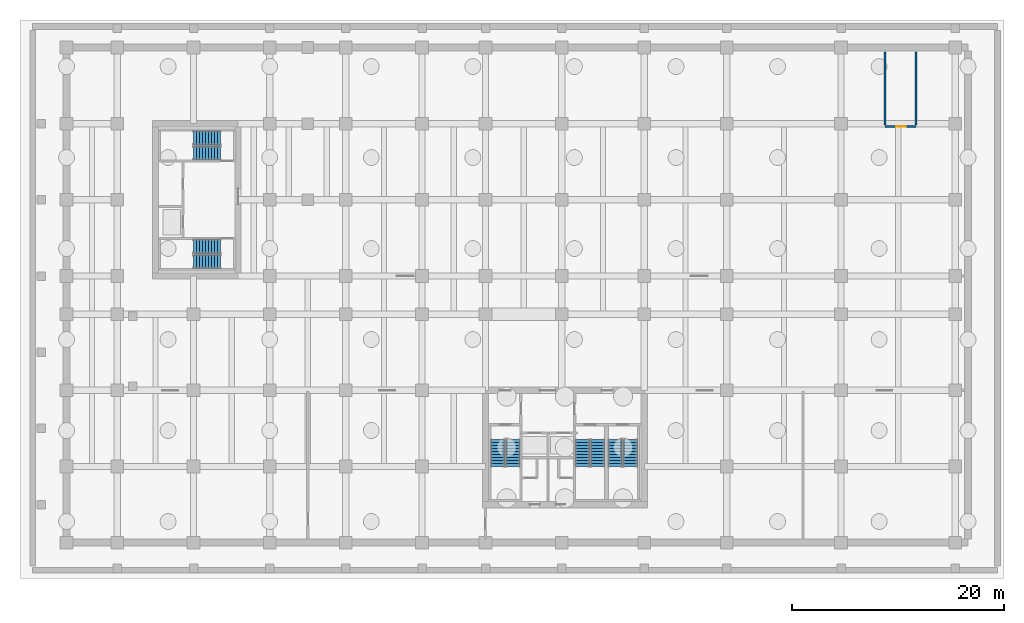
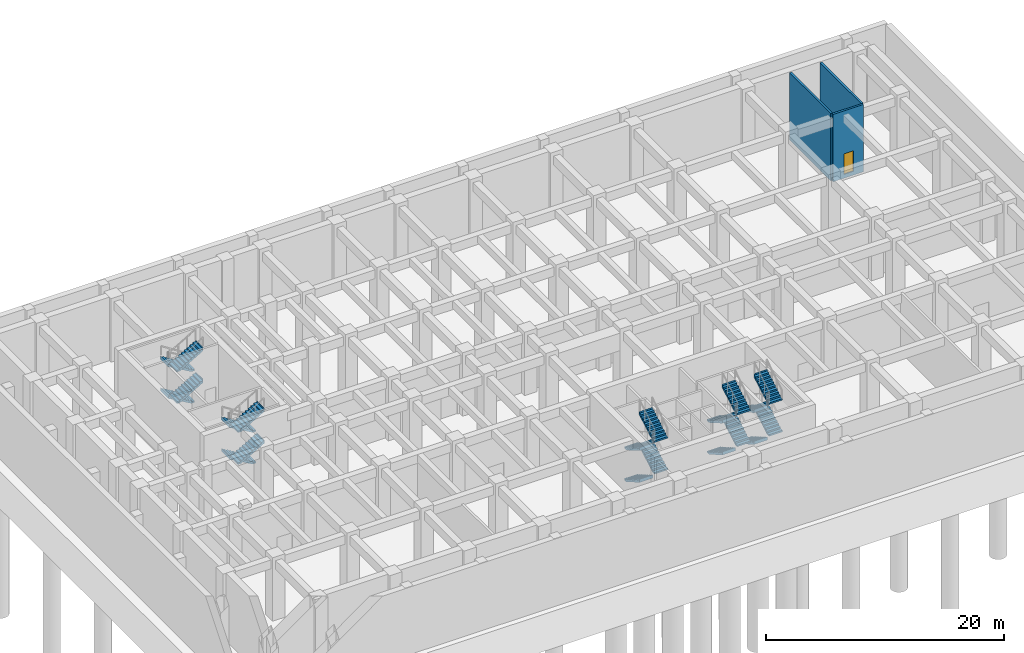
# One storey, part 9 of 13: 20 stair flights, 3 walls, 1 door, 1 opening, 5 elements without a shape of their own.
"""IFC4 building model written with IfcOpenShell, lengths in metres."""

from ifc_helpers import new_model, si_unit, derived_unit, direction, frame, frame_2d, origin, place, context, subcontext, project, spatial, polyline, rectangle, outline, extrude, source, transform, mapped, material, layer, layer_set, type_object, type_shapes, element, fill, aggregate, save


model = new_model("IFC4")

# Units and contexts
model_context = context("Model", 3, precision=1e-05, world=origin(), true_north=direction((0.0, 1.0)))
body_context = subcontext(model_context, "Body", "Model", "MODEL_VIEW")
ifc_project = project(units=[si_unit("LENGTHUNIT", "METRE"), si_unit("AREAUNIT", "SQUARE_METRE"), si_unit("VOLUMEUNIT", "CUBIC_METRE"), si_unit("PLANEANGLEUNIT", "RADIAN"), si_unit("MASSUNIT", "GRAM", prefix="KILO"), si_unit("THERMODYNAMICTEMPERATUREUNIT", "KELVIN"), si_unit("POWERUNIT", "WATT"), derived_unit("THERMALTRANSMITTANCEUNIT", [(si_unit("POWERUNIT", "WATT"), 1), (si_unit("AREAUNIT", "SQUARE_METRE"), -1), (si_unit("THERMODYNAMICTEMPERATUREUNIT", "KELVIN"), -1)])], contexts=[model_context])

# Site, building, storey
site_placement = place(None, origin())
site = spatial("IfcSite", under=ifc_project, at=site_placement, CompositionType="ELEMENT")
building_placement = place(site_placement, origin())
building = spatial("IfcBuilding", under=site, at=building_placement, Name="Zahravan Archway Hotel and Residences", CompositionType="ELEMENT")
storey_placement = place(building_placement, frame((0.0, 0.0, -13.0)))
storey = spatial("IfcBuildingStorey", under=building, at=storey_placement, Name="B02", CompositionType="ELEMENT", Elevation=-13.0)

# Walls
ifc_material_1 = material(Name="Concrete C50/60", Category="concrete")
ifc_layer_1 = layer(ifc_material_1, 0.199951171875, Name="Concrete C50/60", Category="concrete")
ifc_layer_set_1 = layer_set([ifc_layer_1], Name="Concrete C50/60")
wall_type = type_object("IfcWallType", Name="SW-STAIR-200", PredefinedType="SHEAR", material=ifc_layer_set_1)
for number, where, z_axis, x_axis, name in (
    (1, (72.56005859375, 39.469970703125, -0.39990234375), (0.0, 0.0, 1.0), (0.0, 1.0, 0.0), "B02 Stairwell RC Wall SP1-W"),
    (2, (75.5, 39.469970703125, -0.39990234375), (0.0, 0.0, 1.0), (0.0, 1.0, 0.0), "B02 Stairwell RC Wall SP1-E"),
):
    element("IfcWall", number, at=place(storey_placement, frame(where, z_axis=z_axis, x_axis=x_axis)), inside=storey, type_object=wall_type, Name=name, PredefinedType="SHEAR", context=body_context, shape_type="SweptSolid", body=[
        extrude(rectangle(XDim=6.909912109375, YDim=0.199951171875, at=frame_2d((3.455078125, 0.0))), origin(), (0.0, 0.0, 1.0), 6.89990234375),
    ])

# Wall, opening, door
wall_placement = place(storey_placement, frame((72.56005859375, 39.35009765625, -0.39990234375), z_axis=(0.0, 0.0, 1.0), x_axis=(1.0, 0.0, 0.0)))
wall = element("IfcWall", 3, at=wall_placement, inside=storey, type_object=wall_type, Name="B02 Stairwell RC Wall SP1-S", PredefinedType="SHEAR", context=body_context, shape_type="SweptSolid", body=[
    extrude(rectangle(XDim=2.93994140625, YDim=0.199951171875, at=frame_2d((1.469970703125, 0.0))), origin(), (0.0, 0.0, 1.0), 6.89990234375),
])
opening_placement = place(wall_placement, frame((1.06005859375, 0.0, 0.39990234375)))
opening = element("IfcOpeningElement", 4, at=opening_placement, cuts=wall, Name="Opening FD-R1", PredefinedType="OPENING", context=body_context, shape_type="SweptSolid", body=[
    extrude(rectangle(XDim=0.89990234375, YDim=2.10009765625, at=frame_2d((0.449951171875, 1.050048828125))), frame((0.0, 0.10986328125, 0.0), z_axis=(0.0, -1.0, 0.0), x_axis=(1.0, 0.0, 0.0)), (0.0, 0.0, 1.0), 0.219970703125),
])
ifc_material_2 = material(Name="Fire-Rated Painted Steel", Category="steel")
door_type = type_object("IfcDoorType", Name="FD-RISER-900", OperationType="NOTDEFINED", PredefinedType="DOOR", material=ifc_material_2)
shared_shape_1 = source(origin(), body_context, "Body", "SweptSolid", [
    extrude(rectangle(XDim=0.89990234375, YDim=2.10009765625, at=frame_2d((0.449951171875, 1.050048828125))), frame((0.0, 0.02490234375, 0.0), z_axis=(0.0, -1.0, 0.0), x_axis=(1.0, 0.0, 0.0)), (0.0, 0.0, 1.0), 0.050048828125),
])
type_shapes(door_type, [shared_shape_1])
door_placement = place(opening_placement, origin())
door = element("IfcDoor", 5, at=door_placement, inside=storey, type_object=door_type, Name="B02 Sub-Stair Service Vault Door", OperationType="SINGLE_SWING_RIGHT", OverallHeight=2.10009765625, OverallWidth=0.89990234375, PredefinedType="DOOR", context=body_context, shape_type="MappedRepresentation", body=[
    mapped(shared_shape_1, transform((0.0, 0.0, 0.0), scale=1.0)),
])
fill(opening, door)

# Stair, stair flights
stair_type = type_object("IfcStairType", Name="STR-CORE-1300", PredefinedType="HALF_TURN_STAIR", material=ifc_material_1)
stair_1_placement = place(storey_placement, origin())
stair_1 = element("IfcStair", 6, at=stair_1_placement, inside=storey, type_object=stair_type, Name="B02 Core A Exit Stair 1", PredefinedType="HALF_TURN_STAIR")
ifc_layer_2 = layer(ifc_material_1, 0.199951171875, Name="Concrete C50/60", Category="concrete")
ifc_layer_set_2 = layer_set([ifc_layer_2], Name="Concrete C50/60")
stair_flight_type = type_object("IfcStairFlightType", Name="SFL-CORE-1300", PredefinedType="STRAIGHT", material=ifc_layer_set_2)
shared_shape_2 = source(origin(), body_context, "Body", "SweptSolid", [
    extrude(outline(polyline([(-0.01611328125, 0.0), (-0.01611328125, 0.16259765625), (0.280029296875, 0.16259765625), (0.280029296875, 0.324951171875), (0.56005859375, 0.324951171875), (0.56005859375, 0.487548828125), (0.840087890625, 0.487548828125), (0.840087890625, 0.64990234375), (1.1201171875, 0.64990234375), (1.1201171875, 0.8125), (1.39990234375, 0.8125), (1.39990234375, 0.97509765625), (1.679931640625, 0.97509765625), (1.679931640625, 1.137451171875), (1.9599609375, 1.137451171875), (1.9599609375, 1.300048828125), (2.239990234375, 1.300048828125), (2.239990234375, 1.46240234375), (2.52001953125, 1.46240234375), (2.52001953125, 1.625), (2.5361328125, 1.625), (2.5361328125, 1.2890625), (0.298583984375, 0.0), (-0.01611328125, 0.0)])), frame((0.0, 0.64990234375, 0.0), z_axis=(0.0, -1.0, 0.0), x_axis=(1.0, 0.0, 0.0)), (0.0, 0.0, 1.0), 1.300048828125),
])
type_shapes(stair_flight_type, [shared_shape_2])
stair_flight_1_placement = place(storey_placement, frame((35.949951171875, 9.72998046875, 0.0), z_axis=(0.0, 0.0, 1.0), x_axis=(0.0, -1.0, 0.0)))
stair_flight_1 = element("IfcStairFlight", 7, at=stair_flight_1_placement, type_object=stair_flight_type, Name="ST-A1 flight 1", NumberOfRisers=10, NumberOfTreads=9, PredefinedType="STRAIGHT", RiserHeight=0.1625, TreadLength=0.28, context=body_context, shape_type="MappedRepresentation", body=[
    mapped(shared_shape_2, transform((0.0, 0.0, 0.0), scale=1.0)),
])
stair_flight_2_placement = place(storey_placement, frame((37.389892578125, 7.2099609375, 1.625), z_axis=(0.0, 0.0, 1.0), x_axis=(0.0, 1.0, 0.0)))
stair_flight_2 = element("IfcStairFlight", 8, at=stair_flight_2_placement, type_object=stair_flight_type, Name="ST-A1 flight 2", NumberOfRisers=10, NumberOfTreads=9, PredefinedType="STRAIGHT", RiserHeight=0.1625, TreadLength=0.28, context=body_context, shape_type="MappedRepresentation", body=[
    mapped(shared_shape_2, transform((0.0, 0.0, 0.0), scale=1.0)),
])
stair_flight_3_placement = place(storey_placement, frame((35.949951171875, 9.72998046875, 3.25), z_axis=(0.0, 0.0, 1.0), x_axis=(0.0, -1.0, 0.0)))
stair_flight_3 = element("IfcStairFlight", 9, at=stair_flight_3_placement, type_object=stair_flight_type, Name="ST-A1 flight 3", NumberOfRisers=10, NumberOfTreads=9, PredefinedType="STRAIGHT", RiserHeight=0.1625, TreadLength=0.28, context=body_context, shape_type="MappedRepresentation", body=[
    mapped(shared_shape_2, transform((0.0, 0.0, 0.0), scale=1.0)),
])
stair_flight_4_placement = place(storey_placement, frame((37.389892578125, 7.2099609375, 4.875), z_axis=(0.0, 0.0, 1.0), x_axis=(0.0, 1.0, 0.0)))
stair_flight_4 = element("IfcStairFlight", 10, at=stair_flight_4_placement, type_object=stair_flight_type, Name="ST-A1 flight 4", NumberOfRisers=10, NumberOfTreads=9, PredefinedType="STRAIGHT", RiserHeight=0.1625, TreadLength=0.28, context=body_context, shape_type="MappedRepresentation", body=[
    mapped(shared_shape_2, transform((0.0, 0.0, 0.0), scale=1.0)),
])
aggregate(stair_1, [stair_flight_1, stair_flight_2, stair_flight_3, stair_flight_4])

stair_2_placement = place(storey_placement, origin())
stair_2 = element("IfcStair", 11, at=stair_2_placement, inside=storey, type_object=stair_type, Name="B02 Core A Exit Stair 2", PredefinedType="HALF_TURN_STAIR")
stair_flight_5_placement = place(storey_placement, frame((43.969970703125, 9.72998046875, 0.0), z_axis=(0.0, 0.0, 1.0), x_axis=(0.0, -1.0, 0.0)))
stair_flight_5 = element("IfcStairFlight", 12, at=stair_flight_5_placement, type_object=stair_flight_type, Name="ST-A2 flight 1", NumberOfRisers=10, NumberOfTreads=9, PredefinedType="STRAIGHT", RiserHeight=0.1625, TreadLength=0.28, context=body_context, shape_type="MappedRepresentation", body=[
    mapped(shared_shape_2, transform((0.0, 0.0, 0.0), scale=1.0)),
])
stair_flight_6_placement = place(storey_placement, frame((45.409912109375, 7.2099609375, 1.625), z_axis=(0.0, 0.0, 1.0), x_axis=(0.0, 1.0, 0.0)))
stair_flight_6 = element("IfcStairFlight", 13, at=stair_flight_6_placement, type_object=stair_flight_type, Name="ST-A2 flight 2", NumberOfRisers=10, NumberOfTreads=9, PredefinedType="STRAIGHT", RiserHeight=0.1625, TreadLength=0.28, context=body_context, shape_type="MappedRepresentation", body=[
    mapped(shared_shape_2, transform((0.0, 0.0, 0.0), scale=1.0)),
])
stair_flight_7_placement = place(storey_placement, frame((43.969970703125, 9.72998046875, 3.25), z_axis=(0.0, 0.0, 1.0), x_axis=(0.0, -1.0, 0.0)))
stair_flight_7 = element("IfcStairFlight", 14, at=stair_flight_7_placement, type_object=stair_flight_type, Name="ST-A2 flight 3", NumberOfRisers=10, NumberOfTreads=9, PredefinedType="STRAIGHT", RiserHeight=0.1625, TreadLength=0.28, context=body_context, shape_type="MappedRepresentation", body=[
    mapped(shared_shape_2, transform((0.0, 0.0, 0.0), scale=1.0)),
])
stair_flight_8_placement = place(storey_placement, frame((45.409912109375, 7.2099609375, 4.875), z_axis=(0.0, 0.0, 1.0), x_axis=(0.0, 1.0, 0.0)))
stair_flight_8 = element("IfcStairFlight", 15, at=stair_flight_8_placement, type_object=stair_flight_type, Name="ST-A2 flight 4", NumberOfRisers=10, NumberOfTreads=9, PredefinedType="STRAIGHT", RiserHeight=0.1625, TreadLength=0.28, context=body_context, shape_type="MappedRepresentation", body=[
    mapped(shared_shape_2, transform((0.0, 0.0, 0.0), scale=1.0)),
])
aggregate(stair_2, [stair_flight_5, stair_flight_6, stair_flight_7, stair_flight_8])

stair_3_placement = place(storey_placement, origin())
stair_3 = element("IfcStair", 16, at=stair_3_placement, inside=storey, type_object=stair_type, Name="B02 Core A Exit Stair 3", PredefinedType="HALF_TURN_STAIR")
stair_flight_9_placement = place(storey_placement, frame((47.050048828125, 9.72998046875, 0.0), z_axis=(0.0, 0.0, 1.0), x_axis=(0.0, -1.0, 0.0)))
stair_flight_9 = element("IfcStairFlight", 17, at=stair_flight_9_placement, type_object=stair_flight_type, Name="ST-A3 flight 1", NumberOfRisers=10, NumberOfTreads=9, PredefinedType="STRAIGHT", RiserHeight=0.1625, TreadLength=0.28, context=body_context, shape_type="MappedRepresentation", body=[
    mapped(shared_shape_2, transform((0.0, 0.0, 0.0), scale=1.0)),
])
stair_flight_10_placement = place(storey_placement, frame((48.489990234375, 7.2099609375, 1.625), z_axis=(0.0, 0.0, 1.0), x_axis=(0.0, 1.0, 0.0)))
stair_flight_10 = element("IfcStairFlight", 18, at=stair_flight_10_placement, type_object=stair_flight_type, Name="ST-A3 flight 2", NumberOfRisers=10, NumberOfTreads=9, PredefinedType="STRAIGHT", RiserHeight=0.1625, TreadLength=0.28, context=body_context, shape_type="MappedRepresentation", body=[
    mapped(shared_shape_2, transform((0.0, 0.0, 0.0), scale=1.0)),
])
stair_flight_11_placement = place(storey_placement, frame((47.050048828125, 9.72998046875, 3.25), z_axis=(0.0, 0.0, 1.0), x_axis=(0.0, -1.0, 0.0)))
stair_flight_11 = element("IfcStairFlight", 19, at=stair_flight_11_placement, type_object=stair_flight_type, Name="ST-A3 flight 3", NumberOfRisers=10, NumberOfTreads=9, PredefinedType="STRAIGHT", RiserHeight=0.1625, TreadLength=0.28, context=body_context, shape_type="MappedRepresentation", body=[
    mapped(shared_shape_2, transform((0.0, 0.0, 0.0), scale=1.0)),
])
stair_flight_12_placement = place(storey_placement, frame((48.489990234375, 7.2099609375, 4.875), z_axis=(0.0, 0.0, 1.0), x_axis=(0.0, 1.0, 0.0)))
stair_flight_12 = element("IfcStairFlight", 20, at=stair_flight_12_placement, type_object=stair_flight_type, Name="ST-A3 flight 4", NumberOfRisers=10, NumberOfTreads=9, PredefinedType="STRAIGHT", RiserHeight=0.1625, TreadLength=0.28, context=body_context, shape_type="MappedRepresentation", body=[
    mapped(shared_shape_2, transform((0.0, 0.0, 0.0), scale=1.0)),
])
aggregate(stair_3, [stair_flight_9, stair_flight_10, stair_flight_11, stair_flight_12])

stair_4_placement = place(storey_placement, origin())
stair_4 = element("IfcStair", 21, at=stair_4_placement, inside=storey, type_object=stair_type, Name="B02 Core B Exit Stair 1", PredefinedType="HALF_TURN_STAIR")
stair_flight_13_placement = place(storey_placement, frame((9.72998046875, 27.989990234375, 0.0), z_axis=(0.0, 0.0, 1.0), x_axis=(-1.0, 0.0, 0.0)))
stair_flight_13 = element("IfcStairFlight", 22, at=stair_flight_13_placement, type_object=stair_flight_type, Name="ST-B1 flight 1", NumberOfRisers=10, NumberOfTreads=9, PredefinedType="STRAIGHT", RiserHeight=0.1625, TreadLength=0.28, context=body_context, shape_type="MappedRepresentation", body=[
    mapped(shared_shape_2, transform((0.0, 0.0, 0.0), scale=1.0)),
])
stair_flight_14_placement = place(storey_placement, frame((7.2099609375, 26.550048828125, 1.625), z_axis=(0.0, 0.0, 1.0), x_axis=(1.0, 0.0, 0.0)))
stair_flight_14 = element("IfcStairFlight", 23, at=stair_flight_14_placement, type_object=stair_flight_type, Name="ST-B1 flight 2", NumberOfRisers=10, NumberOfTreads=9, PredefinedType="STRAIGHT", RiserHeight=0.1625, TreadLength=0.28, context=body_context, shape_type="MappedRepresentation", body=[
    mapped(shared_shape_2, transform((0.0, 0.0, 0.0), scale=1.0)),
])
stair_flight_15_placement = place(storey_placement, frame((9.72998046875, 27.989990234375, 3.25), z_axis=(0.0, 0.0, 1.0), x_axis=(-1.0, 0.0, 0.0)))
stair_flight_15 = element("IfcStairFlight", 24, at=stair_flight_15_placement, type_object=stair_flight_type, Name="ST-B1 flight 3", NumberOfRisers=10, NumberOfTreads=9, PredefinedType="STRAIGHT", RiserHeight=0.1625, TreadLength=0.28, context=body_context, shape_type="MappedRepresentation", body=[
    mapped(shared_shape_2, transform((0.0, 0.0, 0.0), scale=1.0)),
])
stair_flight_16_placement = place(storey_placement, frame((7.2099609375, 26.550048828125, 4.875), z_axis=(0.0, 0.0, 1.0), x_axis=(1.0, 0.0, 0.0)))
stair_flight_16 = element("IfcStairFlight", 25, at=stair_flight_16_placement, type_object=stair_flight_type, Name="ST-B1 flight 4", NumberOfRisers=10, NumberOfTreads=9, PredefinedType="STRAIGHT", RiserHeight=0.1625, TreadLength=0.28, context=body_context, shape_type="MappedRepresentation", body=[
    mapped(shared_shape_2, transform((0.0, 0.0, 0.0), scale=1.0)),
])
aggregate(stair_4, [stair_flight_13, stair_flight_14, stair_flight_15, stair_flight_16])

stair_5_placement = place(storey_placement, origin())
stair_5 = element("IfcStair", 26, at=stair_5_placement, inside=storey, type_object=stair_type, Name="B02 Core B Exit Stair 2", PredefinedType="HALF_TURN_STAIR")
stair_flight_17_placement = place(storey_placement, frame((9.72998046875, 38.25, 0.0), z_axis=(0.0, 0.0, 1.0), x_axis=(-1.0, 0.0, 0.0)))
stair_flight_17 = element("IfcStairFlight", 27, at=stair_flight_17_placement, type_object=stair_flight_type, Name="ST-B2 flight 1", NumberOfRisers=10, NumberOfTreads=9, PredefinedType="STRAIGHT", RiserHeight=0.1625, TreadLength=0.28, context=body_context, shape_type="MappedRepresentation", body=[
    mapped(shared_shape_2, transform((0.0, 0.0, 0.0), scale=1.0)),
])
stair_flight_18_placement = place(storey_placement, frame((7.2099609375, 36.81005859375, 1.625), z_axis=(0.0, 0.0, 1.0), x_axis=(1.0, 0.0, 0.0)))
stair_flight_18 = element("IfcStairFlight", 28, at=stair_flight_18_placement, type_object=stair_flight_type, Name="ST-B2 flight 2", NumberOfRisers=10, NumberOfTreads=9, PredefinedType="STRAIGHT", RiserHeight=0.1625, TreadLength=0.28, context=body_context, shape_type="MappedRepresentation", body=[
    mapped(shared_shape_2, transform((0.0, 0.0, 0.0), scale=1.0)),
])
stair_flight_19_placement = place(storey_placement, frame((9.72998046875, 38.25, 3.25), z_axis=(0.0, 0.0, 1.0), x_axis=(-1.0, 0.0, 0.0)))
stair_flight_19 = element("IfcStairFlight", 29, at=stair_flight_19_placement, type_object=stair_flight_type, Name="ST-B2 flight 3", NumberOfRisers=10, NumberOfTreads=9, PredefinedType="STRAIGHT", RiserHeight=0.1625, TreadLength=0.28, context=body_context, shape_type="MappedRepresentation", body=[
    mapped(shared_shape_2, transform((0.0, 0.0, 0.0), scale=1.0)),
])
stair_flight_20_placement = place(storey_placement, frame((7.2099609375, 36.81005859375, 4.875), z_axis=(0.0, 0.0, 1.0), x_axis=(1.0, 0.0, 0.0)))
stair_flight_20 = element("IfcStairFlight", 30, at=stair_flight_20_placement, type_object=stair_flight_type, Name="ST-B2 flight 4", NumberOfRisers=10, NumberOfTreads=9, PredefinedType="STRAIGHT", RiserHeight=0.1625, TreadLength=0.28, context=body_context, shape_type="MappedRepresentation", body=[
    mapped(shared_shape_2, transform((0.0, 0.0, 0.0), scale=1.0)),
])
aggregate(stair_5, [stair_flight_17, stair_flight_18, stair_flight_19, stair_flight_20])

save(model, "model.ifc")
